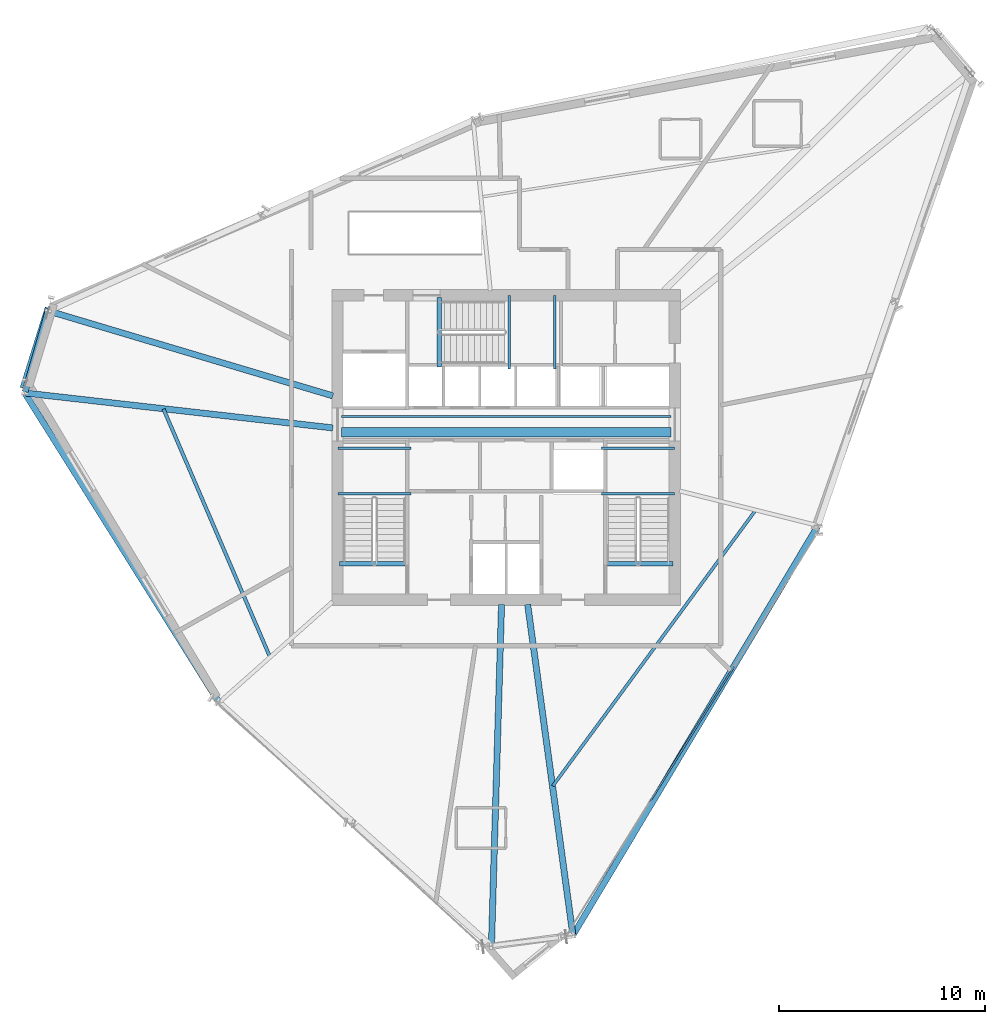
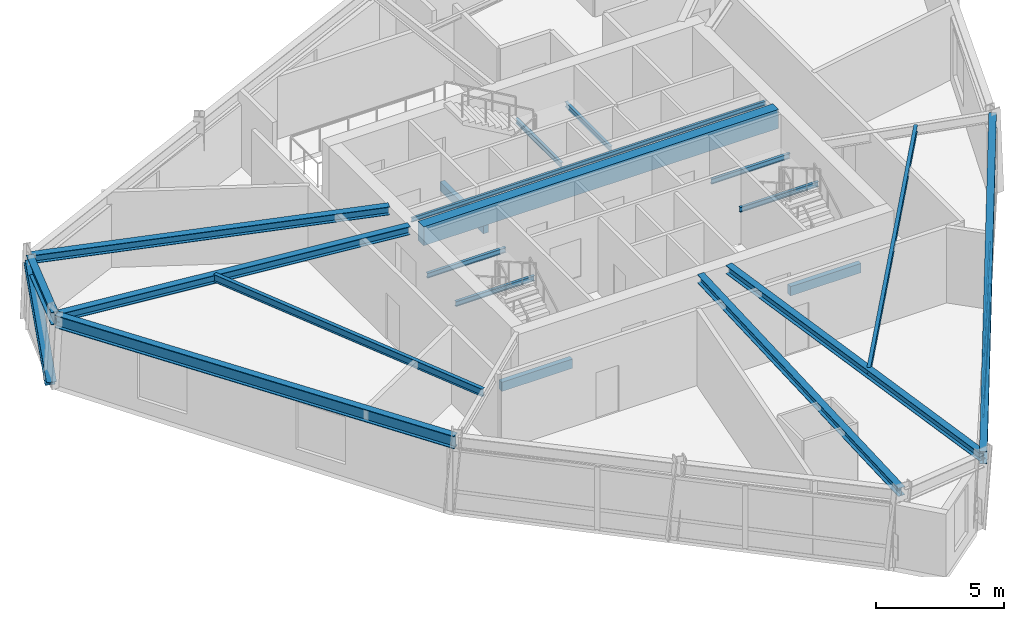
# One storey, part 4 of 13: 20 beams, 4 members, 1 element without a shape of its own.
"""IFC4 building model written with IfcOpenShell, lengths in metres."""

from ifc_helpers import new_model, si_unit, direction, frame, origin, origin_2d, place, context, subcontext, project, spatial, rectangle, hollow_rectangle, i_section, extrude, source, transform, mapped, material, material_profile, profile_set, type_object, element, aggregate, save


model = new_model("IFC4")

# Units and contexts
model_context = context("Model", 3, precision=1e-05, world=origin(), true_north=direction((0.0, 1.0)))
body_context = subcontext(model_context, "Body", "Model", "MODEL_VIEW")
ifc_project = project(units=[si_unit("LENGTHUNIT", "METRE"), si_unit("AREAUNIT", "SQUARE_METRE"), si_unit("VOLUMEUNIT", "CUBIC_METRE"), si_unit("PLANEANGLEUNIT", "RADIAN"), si_unit("MASSUNIT", "GRAM", prefix="KILO")], contexts=[model_context])

# Site, building, storey
site_placement = place(None, origin())
site = spatial("IfcSite", under=ifc_project, at=site_placement, CompositionType="ELEMENT")
building_placement = place(site_placement, origin())
building = spatial("IfcBuilding", under=site, at=building_placement, Name="Olszyna Solenne Hotel", CompositionType="ELEMENT")
storey_placement = place(building_placement, frame((0.0, 0.0, 200.300048828125)))
storey = spatial("IfcBuildingStorey", under=building, at=storey_placement, Name="L53", CompositionType="ELEMENT", Elevation=200.300048828125)

# Beams
ifc_material_1 = material(Name="Steel S355J2", Category="steel")
ifc_material_profile_1 = material_profile(ifc_material_1, i_section(OverallWidth=0.300048828125, OverallDepth=0.60009765625, WebThickness=0.015380859375, FlangeThickness=0.030029296875, at=origin_2d()), Name="HEB 600", Category="load-bearing")
ifc_profile_set_1 = profile_set([ifc_material_profile_1], Name="Steel S355J2")
beam_type_1 = type_object("IfcBeamType", Name="BM-S2", PredefinedType="BEAM", material=ifc_profile_set_1)
shared_shape_1 = source(origin(), body_context, "Body", "SweptSolid", [
    extrude(i_section(OverallWidth=0.300048828125, OverallDepth=0.60009765625, WebThickness=0.015380859375, FlangeThickness=0.030029296875, at=origin_2d()), origin(), (0.0, 0.0, 1.0), 4.016357421875),
])
beam_1_placement = place(storey_placement, frame((15.7919921875, 33.165283203125, 3.280029296875), z_axis=(-0.275604130687, -0.96127122247, 0.0), x_axis=(0.96127122247, -0.275604130687, 0.0)))
element("IfcBeam", 1, at=beam_1_placement, inside=storey, type_object=beam_type_1, Name="Perimeter spandrel beam BM-S2 B-L53-1568", PredefinedType="BEAM", context=body_context, shape_type="MappedRepresentation", body=[
    mapped(shared_shape_1, transform((0.0, 0.0, 0.0), x_axis=(1.0, 0.0, 0.0), y_axis=(0.0, 1.0, 0.0), z_axis=(0.0, 0.0, 1.0), scale=1.0)),
])
shared_shape_2 = source(origin(), body_context, "Body", "SweptSolid", [
    extrude(i_section(OverallWidth=0.300048828125, OverallDepth=0.60009765625, WebThickness=0.015380859375, FlangeThickness=0.030029296875, at=origin_2d()), origin(), (0.0, 0.0, 1.0), 17.59228515625),
])
beam_2_placement = place(storey_placement, frame((14.700439453125, 29.196044921875, 3.280029296875), z_axis=(0.531419023745, -0.847109096399, 0.0), x_axis=(0.847109096399, 0.531419023745, 0.0)))
element("IfcBeam", 2, at=beam_2_placement, inside=storey, type_object=beam_type_1, Name="Perimeter spandrel beam BM-S2 B-L53-1569", PredefinedType="BEAM", context=body_context, shape_type="MappedRepresentation", body=[
    mapped(shared_shape_2, transform((0.0, 0.0, 0.0), x_axis=(1.0, 0.0, 0.0), y_axis=(0.0, 1.0, 0.0), z_axis=(0.0, 0.0, 1.0), scale=1.0)),
])
shared_shape_3 = source(origin(), body_context, "Body", "SweptSolid", [
    extrude(i_section(OverallWidth=0.300048828125, OverallDepth=0.60009765625, WebThickness=0.015380859375, FlangeThickness=0.030029296875, at=origin_2d()), origin(), (0.0, 0.0, 1.0), 23.012451171875),
])
beam_3_placement = place(storey_placement, frame((41.264404296875, 3.022705078125, 3.280029296875), z_axis=(0.513637412469, 0.858007347587, 0.0), x_axis=(-0.858007347587, 0.513637412469, 0.0)))
element("IfcBeam", 3, at=beam_3_placement, inside=storey, type_object=beam_type_1, Name="Perimeter spandrel beam BM-S2 B-L53-1573", PredefinedType="BEAM", context=body_context, shape_type="MappedRepresentation", body=[
    mapped(shared_shape_3, transform((0.0, 0.0, 0.0), x_axis=(1.0, 0.0, 0.0), y_axis=(0.0, 1.0, 0.0), z_axis=(0.0, 0.0, 1.0), scale=1.0)),
])
ifc_material_profile_2 = material_profile(ifc_material_1, i_section(OverallWidth=0.300048828125, OverallDepth=0.389892578125, WebThickness=0.010986328125, FlangeThickness=0.01904296875, at=origin_2d()), Name="HEA 400", Category="load-bearing")
ifc_profile_set_2 = profile_set([ifc_material_profile_2], Name="Steel S355J2")
beam_type_2 = type_object("IfcBeamType", Name="BM-G2", PredefinedType="BEAM", material=ifc_profile_set_2)
shared_shape_4 = source(origin(), body_context, "Body", "SweptSolid", [
    extrude(i_section(OverallWidth=0.300048828125, OverallDepth=0.389892578125, WebThickness=0.010986328125, FlangeThickness=0.01904296875, at=origin_2d()), origin(), (0.0, 0.0, 1.0), 14.33056640625),
])
beam_4_placement = place(storey_placement, frame((15.865966796875, 33.205810546875, 3.385009765625), z_axis=(0.958232323726, -0.285990933015, 0.0), x_axis=(0.285990933015, 0.958232323726, 0.0)))
element("IfcBeam", 4, at=beam_4_placement, inside=storey, type_object=beam_type_2, Name="Radial floor girder BM-G2 B-L53-1579", PredefinedType="BEAM", context=body_context, shape_type="MappedRepresentation", body=[
    mapped(shared_shape_4, transform((0.0, 0.0, 0.0), x_axis=(1.0, 0.0, 0.0), y_axis=(0.0, 1.0, 0.0), z_axis=(0.0, 0.0, 1.0), scale=1.0)),
])
shared_shape_5 = source(origin(), body_context, "Body", "SweptSolid", [
    extrude(i_section(OverallWidth=0.300048828125, OverallDepth=0.389892578125, WebThickness=0.010986328125, FlangeThickness=0.01904296875, at=origin_2d()), origin(), (0.0, 0.0, 1.0), 14.967041015625),
])
beam_5_placement = place(storey_placement, frame((14.72802734375, 29.239990234375, 3.385009765625), z_axis=(0.993627279056, -0.112715705721, 0.0), x_axis=(0.112715705721, 0.993627279056, 0.0)))
element("IfcBeam", 5, at=beam_5_placement, inside=storey, type_object=beam_type_2, Name="Radial floor girder BM-G2 B-L53-1580", PredefinedType="BEAM", context=body_context, shape_type="MappedRepresentation", body=[
    mapped(shared_shape_5, transform((0.0, 0.0, 0.0), x_axis=(1.0, 0.0, 0.0), y_axis=(0.0, 1.0, 0.0), z_axis=(0.0, 0.0, 1.0), scale=1.0)),
])
shared_shape_6 = source(origin(), body_context, "Body", "SweptSolid", [
    extrude(i_section(OverallWidth=0.300048828125, OverallDepth=0.389892578125, WebThickness=0.010986328125, FlangeThickness=0.01904296875, at=origin_2d()), origin(), (0.0, 0.0, 1.0), 16.510009765625),
])
beam_6_placement = place(storey_placement, frame((37.287109375, 2.497314453125, 3.385009765625), z_axis=(0.02956026979, 0.99956299974, 0.0), x_axis=(-0.99956299974, 0.02956026979, 0.0)))
element("IfcBeam", 6, at=beam_6_placement, inside=storey, type_object=beam_type_2, Name="Radial floor girder BM-G2 B-L53-1582", PredefinedType="BEAM", context=body_context, shape_type="MappedRepresentation", body=[
    mapped(shared_shape_6, transform((0.0, 0.0, 0.0), x_axis=(1.0, 0.0, 0.0), y_axis=(0.0, 1.0, 0.0), z_axis=(0.0, 0.0, 1.0), scale=1.0)),
])
shared_shape_7 = source(origin(), body_context, "Body", "SweptSolid", [
    extrude(i_section(OverallWidth=0.300048828125, OverallDepth=0.389892578125, WebThickness=0.010986328125, FlangeThickness=0.01904296875, at=origin_2d()), origin(), (0.0, 0.0, 1.0), 16.117919921875),
])
beam_7_placement = place(storey_placement, frame((41.2255859375, 3.030517578125, 3.385009765625), z_axis=(-0.135582969142, 0.990765995823, 0.0), x_axis=(-0.990765995823, -0.135582969142, 0.0)))
element("IfcBeam", 7, at=beam_7_placement, inside=storey, type_object=beam_type_2, Name="Radial floor girder BM-G2 B-L53-1583", PredefinedType="BEAM", context=body_context, shape_type="MappedRepresentation", body=[
    mapped(shared_shape_7, transform((0.0, 0.0, 0.0), x_axis=(1.0, 0.0, 0.0), y_axis=(0.0, 1.0, 0.0), z_axis=(0.0, 0.0, 1.0), scale=1.0)),
])
ifc_material_profile_3 = material_profile(ifc_material_1, i_section(OverallWidth=0.169921875, OverallDepth=0.360107421875, WebThickness=0.008056640625, FlangeThickness=0.0126953125, at=origin_2d()), Name="IPE 360", Category="load-bearing")
ifc_profile_set_3 = profile_set([ifc_material_profile_3], Name="Steel S355J2")
beam_type_3 = type_object("IfcBeamType", Name="JS-01", PredefinedType="JOIST", material=ifc_profile_set_3)
shared_shape_8 = source(origin(), body_context, "Body", "SweptSolid", [
    extrude(i_section(OverallWidth=0.169921875, OverallDepth=0.360107421875, WebThickness=0.008056640625, FlangeThickness=0.0126953125, at=origin_2d()), origin(), (0.0, 0.0, 1.0), 13.0654296875),
])
beam_8_placement = place(storey_placement, frame((21.3955078125, 28.46630859375, 3.39990234375), z_axis=(0.394588984875, -0.918857732739, 0.0), x_axis=(0.918857732739, 0.394588984875, 0.0)))
element("IfcBeam", 8, at=beam_8_placement, inside=storey, type_object=beam_type_3, Name="Secondary composite floor joist JS-01 B-L53-1586", PredefinedType="JOIST", context=body_context, shape_type="MappedRepresentation", body=[
    mapped(shared_shape_8, transform((0.0, 0.0, 0.0), x_axis=(1.0, 0.0, 0.0), y_axis=(0.0, 1.0, 0.0), z_axis=(0.0, 0.0, 1.0), scale=1.0)),
])
ifc_material_profile_4 = material_profile(ifc_material_1, i_section(OverallWidth=0.14990234375, OverallDepth=0.300048828125, WebThickness=0.007080078125, FlangeThickness=0.0107421875, at=origin_2d()), Name="IPE 300", Category="load-bearing")
ifc_profile_set_4 = profile_set([ifc_material_profile_4], Name="Steel S355J2")
beam_type_4 = type_object("IfcBeamType", Name="JS-02", PredefinedType="JOIST", material=ifc_profile_set_4)
shared_shape_9 = source(origin(), body_context, "Body", "SweptSolid", [
    extrude(i_section(OverallWidth=0.14990234375, OverallDepth=0.300048828125, WebThickness=0.007080078125, FlangeThickness=0.0107421875, at=origin_2d()), origin(), (0.0, 0.0, 1.0), 16.582275390625),
])
beam_9_placement = place(storey_placement, frame((40.25830078125, 10.199951171875, 3.429931640625), z_axis=(0.592439917412, 0.805614637564, 0.0), x_axis=(-0.805614637564, 0.592439917412, 0.0)))
element("IfcBeam", 9, at=beam_9_placement, inside=storey, type_object=beam_type_4, Name="Secondary composite floor joist JS-02 B-L53-1587", PredefinedType="JOIST", context=body_context, shape_type="MappedRepresentation", body=[
    mapped(shared_shape_9, transform((0.0, 0.0, 0.0), x_axis=(1.0, 0.0, 0.0), y_axis=(0.0, 1.0, 0.0), z_axis=(0.0, 0.0, 1.0), scale=1.0)),
])

# Member
ifc_material_2 = material(Name="Steel S460M", Category="steel")
ifc_material_profile_5 = material_profile(ifc_material_2, i_section(OverallWidth=0.406005859375, OverallDepth=0.416015625, WebThickness=0.026611328125, FlangeThickness=0.04150390625, at=origin_2d()), Name="HD 400x382", Category="load-bearing")
ifc_profile_set_5 = profile_set([ifc_material_profile_5], Name="Steel S460M")
member_type_1 = type_object("IfcMemberType", Name="BR-T2", PredefinedType="BRACE", material=ifc_profile_set_5)
shared_shape_10 = source(origin(), body_context, "Body", "SweptSolid", [
    extrude(i_section(OverallWidth=0.406005859375, OverallDepth=0.416015625, WebThickness=0.026611328125, FlangeThickness=0.04150390625, at=origin_2d()), origin(), (0.0, 0.0, 1.0), 4.996826171875),
])
member_1_placement = place(storey_placement, frame((14.67333984375, 29.592041015625, 0.010009765625), z_axis=(0.22718950939, 0.726615566376, 0.648393974003), x_axis=(-0.954434289553, 0.298421156967, 0.0)))
element("IfcMember", 10, at=member_1_placement, inside=storey, type_object=member_type_1, Name="Perimeter braced-tube diagonal BR-T2 BR-L53-2", PredefinedType="BRACE", context=body_context, shape_type="MappedRepresentation", body=[
    mapped(shared_shape_10, transform((0.0, 0.0, 0.0), x_axis=(1.0, 0.0, 0.0), y_axis=(0.0, 1.0, 0.0), z_axis=(0.0, 0.0, 1.0), scale=1.0)),
])

# Curtain wall, members
ifc_material_3 = material(Name="Anodised bronze aluminium", Category="aluminium")
curtain_wall_type = type_object("IfcCurtainWallType", Name="CW-SYS-6", PredefinedType="NOTDEFINED", material=ifc_material_3)
curtain_wall_placement = place(storey_placement, origin())
curtain_wall = element("IfcCurtainWall", 11, at=curtain_wall_placement, inside=storey, type_object=curtain_wall_type, Name="Unitised curtain wall CW-SYS-6 CW-L53-01", PredefinedType="NOTDEFINED")
ifc_material_profile_6 = material_profile(ifc_material_3, hollow_rectangle(XDim=0.074951171875, YDim=0.159912109375, WallThickness=0.00390625, at=origin_2d()), Name="TRAN 160x75x4", Category="load-bearing")
ifc_profile_set_6 = profile_set([ifc_material_profile_6], Name="Anodised bronze aluminium")
member_type_2 = type_object("IfcMemberType", Name="CW-T1", PredefinedType="USERDEFINED", material=ifc_profile_set_6)
shared_shape_11 = source(origin(), body_context, "Body", "SweptSolid", [
    extrude(hollow_rectangle(XDim=0.074951171875, YDim=0.159912109375, WallThickness=0.00390625, at=origin_2d()), origin(), (0.0, 0.0, 1.0), 7.64111328125),
])
member_2_placement = place(storey_placement, frame((44.989990234375, 9.47998046875, 0.037353515625), z_axis=(0.528792156715, 0.848751350512, 0.0), x_axis=(-0.848751350512, 0.528792156715, 0.0)))
member_2 = element("IfcMember", 12, at=member_2_placement, type_object=member_type_2, Name="Curtain-wall transom CW-T1 CT-L53-01-04", ObjectType="TRANSOM", PredefinedType="USERDEFINED", context=body_context, shape_type="MappedRepresentation", body=[
    mapped(shared_shape_11, transform((0.0, 0.0, 0.0), x_axis=(1.0, 0.0, 0.0), y_axis=(0.0, 1.0, 0.0), z_axis=(0.0, 0.0, 1.0), scale=1.0)),
])
member_3_placement = place(storey_placement, frame((44.989990234375, 9.47998046875, 0.949951171875), z_axis=(0.528792156715, 0.848751350512, 0.0), x_axis=(-0.848751350512, 0.528792156715, 0.0)))
member_3 = element("IfcMember", 13, at=member_3_placement, type_object=member_type_2, Name="Curtain-wall transom CW-T1 CT-L53-01-05", ObjectType="TRANSOM", PredefinedType="USERDEFINED", context=body_context, shape_type="MappedRepresentation", body=[
    mapped(shared_shape_11, transform((0.0, 0.0, 0.0), x_axis=(1.0, 0.0, 0.0), y_axis=(0.0, 1.0, 0.0), z_axis=(0.0, 0.0, 1.0), scale=1.0)),
])
member_4_placement = place(storey_placement, frame((44.989990234375, 9.47998046875, 2.9345703125), z_axis=(0.528792156715, 0.848751350512, 0.0), x_axis=(-0.848751350512, 0.528792156715, 0.0)))
member_4 = element("IfcMember", 14, at=member_4_placement, type_object=member_type_2, Name="Curtain-wall transom CW-T1 CT-L53-01-06", ObjectType="TRANSOM", PredefinedType="USERDEFINED", context=body_context, shape_type="MappedRepresentation", body=[
    mapped(shared_shape_11, transform((0.0, 0.0, 0.0), x_axis=(1.0, 0.0, 0.0), y_axis=(0.0, 1.0, 0.0), z_axis=(0.0, 0.0, 1.0), scale=1.0)),
])
aggregate(curtain_wall, [member_2, member_3, member_4])

# Beams
ifc_material_4 = material(Name="Concrete C50/60", Category="concrete")
ifc_material_profile_7 = material_profile(ifc_material_4, rectangle(XDim=0.449951171875, YDim=0.89990234375, at=origin_2d()), Name="RC 900x450", Category="load-bearing")
ifc_profile_set_7 = profile_set([ifc_material_profile_7], Name="Concrete C50/60")
beam_type_5 = type_object("IfcBeamType", Name="CB-01", PredefinedType="LINTEL", material=ifc_profile_set_7)
shared_shape_12 = source(origin(), body_context, "Body", "SweptSolid", [
    extrude(rectangle(XDim=0.449951171875, YDim=0.89990234375, at=origin_2d()), origin(), (0.0, 0.0, 1.0), 15.9599609375),
])
beam_10_placement = place(storey_placement, frame((30.02001953125, 27.35009765625, 3.1298828125), z_axis=(1.0, 0.0, 0.0), x_axis=(0.0, 1.0, 0.0)))
element("IfcBeam", 15, at=beam_10_placement, inside=storey, type_object=beam_type_5, Name="Core coupling lintel beam CB-01 L53", PredefinedType="LINTEL", context=body_context, shape_type="MappedRepresentation", body=[
    mapped(shared_shape_12, transform((0.0, 0.0, 0.0), x_axis=(1.0, 0.0, 0.0), y_axis=(0.0, 1.0, 0.0), z_axis=(0.0, 0.0, 1.0), scale=1.0)),
])
ifc_material_profile_8 = material_profile(ifc_material_1, i_section(OverallWidth=0.10009765625, OverallDepth=0.199951171875, WebThickness=0.005615234375, FlangeThickness=0.008544921875, at=origin_2d()), Name="IPE 200", Category="load-bearing")
ifc_profile_set_8 = profile_set([ifc_material_profile_8], Name="Steel S355J2")
beam_type_6 = type_object("IfcBeamType", Name="LN-01", PredefinedType="LINTEL", material=ifc_profile_set_8)
shared_shape_13 = source(origin(), body_context, "Body", "SweptSolid", [
    extrude(i_section(OverallWidth=0.10009765625, OverallDepth=0.199951171875, WebThickness=0.005615234375, FlangeThickness=0.008544921875, at=origin_2d()), origin(), (0.0, 0.0, 1.0), 15.9599609375),
])
beam_11_placement = place(storey_placement, frame((30.02001953125, 28.10009765625, 3.329833984375), z_axis=(1.0, 0.0, 0.0), x_axis=(0.0, 1.0, 0.0)))
element("IfcBeam", 16, at=beam_11_placement, inside=storey, type_object=beam_type_6, Name="Opening steel lintel LN-01 L53", PredefinedType="LINTEL", context=body_context, shape_type="MappedRepresentation", body=[
    mapped(shared_shape_13, transform((0.0, 0.0, 0.0), x_axis=(1.0, 0.0, 0.0), y_axis=(0.0, 1.0, 0.0), z_axis=(0.0, 0.0, 1.0), scale=1.0)),
])
ifc_material_profile_9 = material_profile(ifc_material_1, i_section(OverallWidth=0.1201171875, OverallDepth=0.239990234375, WebThickness=0.006103515625, FlangeThickness=0.009765625, at=origin_2d()), Name="IPE 240", Category="load-bearing")
ifc_profile_set_9 = profile_set([ifc_material_profile_9], Name="Steel S355J2")
beam_type_7 = type_object("IfcBeamType", Name="JS-03", PredefinedType="JOIST", material=ifc_profile_set_9)
shared_shape_14 = source(origin(), body_context, "Body", "SweptSolid", [
    extrude(i_section(OverallWidth=0.1201171875, OverallDepth=0.239990234375, WebThickness=0.006103515625, FlangeThickness=0.009765625, at=origin_2d()), origin(), (0.0, 0.0, 1.0), 3.539794921875),
])
for number, where, z_axis, x_axis, name in (
    (17, (33.3798828125, 24.360107421875, 1.675048828125), (-1.0, 0.0, 0.0), (0.0, -1.0, 0.0), "Stair landing support beam JS-03 SLB-ST1-0111"),
    (18, (33.3798828125, 26.580078125, 1.675048828125), (-1.0, 0.0, 0.0), (0.0, -1.0, 0.0), "Stair landing support beam JS-03 SLB-ST1-0112"),
    (19, (46.159912109375, 24.360107421875, 1.675048828125), (-1.0, 0.0, 0.0), (0.0, -1.0, 0.0), "Stair landing support beam JS-03 SLB-ST2-0351"),
    (20, (46.159912109375, 26.580078125, 1.675048828125), (-1.0, 0.0, 0.0), (0.0, -1.0, 0.0), "Stair landing support beam JS-03 SLB-ST2-0352"),
):
    element("IfcBeam", number, at=place(storey_placement, frame(where, z_axis=z_axis, x_axis=x_axis)), inside=storey, type_object=beam_type_7, Name=name, PredefinedType="JOIST", context=body_context, shape_type="MappedRepresentation", body=[
        mapped(shared_shape_14, transform((0.0, 0.0, 0.0), x_axis=(1.0, 0.0, 0.0), y_axis=(0.0, 1.0, 0.0), z_axis=(0.0, 0.0, 1.0), scale=1.0)),
    ])
ifc_material_profile_10 = material_profile(ifc_material_4, rectangle(XDim=0.219970703125, YDim=0.43994140625, at=origin_2d()), Name="RC 220x440", Category="load-bearing")
ifc_profile_set_10 = profile_set([ifc_material_profile_10], Name="Concrete C50/60")
beam_type_8 = type_object("IfcBeamType", Name="BM-ST1", PredefinedType="BEAM", material=ifc_profile_set_10)
shared_shape_15 = source(origin(), body_context, "Body", "SweptSolid", [
    extrude(rectangle(XDim=0.219970703125, YDim=0.43994140625, at=origin_2d()), origin(), (0.0, 0.0, 1.0), 3.18017578125),
])
for number, where, z_axis, x_axis, name in (
    (21, (33.10009765625, 20.97998046875, -0.205078125), (-1.0, 0.0, 0.0), (0.0, -1.0, 0.0), "Concrete stair trimmer beam BM-ST1 SHB-ST1-0215"),
    (22, (46.080078125, 20.97998046875, -0.205078125), (-1.0, 0.0, 0.0), (0.0, -1.0, 0.0), "Concrete stair trimmer beam BM-ST1 SHB-ST2-0455"),
):
    element("IfcBeam", number, at=place(storey_placement, frame(where, z_axis=z_axis, x_axis=x_axis)), inside=storey, type_object=beam_type_8, Name=name, PredefinedType="BEAM", context=body_context, shape_type="MappedRepresentation", body=[
        mapped(shared_shape_15, transform((0.0, 0.0, 0.0), x_axis=(1.0, 0.0, 0.0), y_axis=(0.0, 1.0, 0.0), z_axis=(0.0, 0.0, 1.0), scale=1.0)),
    ])
shared_shape_16 = source(origin(), body_context, "Body", "SweptSolid", [
    extrude(i_section(OverallWidth=0.1201171875, OverallDepth=0.239990234375, WebThickness=0.006103515625, FlangeThickness=0.009765625, at=origin_2d()), origin(), (0.0, 0.0, 1.0), 3.5400390625),
])
for number, where, z_axis, x_axis, name in (
    (23, (38.139892578125, 30.419921875, 1.675048828125), (0.0, 1.0, 0.0), (-1.0, 0.0, 0.0), "Stair landing support beam JS-03 SLB-ST3-0591"),
    (24, (40.360107421875, 30.419921875, 1.675048828125), (0.0, 1.0, 0.0), (-1.0, 0.0, 0.0), "Stair landing support beam JS-03 SLB-ST3-0592"),
):
    element("IfcBeam", number, at=place(storey_placement, frame(where, z_axis=z_axis, x_axis=x_axis)), inside=storey, type_object=beam_type_7, Name=name, PredefinedType="JOIST", context=body_context, shape_type="MappedRepresentation", body=[
        mapped(shared_shape_16, transform((0.0, 0.0, 0.0), x_axis=(1.0, 0.0, 0.0), y_axis=(0.0, 1.0, 0.0), z_axis=(0.0, 0.0, 1.0), scale=1.0)),
    ])
shared_shape_17 = source(origin(), body_context, "Body", "SweptSolid", [
    extrude(rectangle(XDim=0.219970703125, YDim=0.43994140625, at=origin_2d()), origin(), (0.0, 0.0, 1.0), 3.3798828125),
])
beam_12_placement = place(storey_placement, frame((34.760009765625, 30.5, -0.205078125), z_axis=(0.0, 1.0, 0.0), x_axis=(-1.0, 0.0, 0.0)))
element("IfcBeam", 25, at=beam_12_placement, inside=storey, type_object=beam_type_8, Name="Concrete stair trimmer beam BM-ST1 SHB-ST3-0693", PredefinedType="BEAM", context=body_context, shape_type="MappedRepresentation", body=[
    mapped(shared_shape_17, transform((0.0, 0.0, 0.0), x_axis=(1.0, 0.0, 0.0), y_axis=(0.0, 1.0, 0.0), z_axis=(0.0, 0.0, 1.0), scale=1.0)),
])

save(model, "model.ifc")
